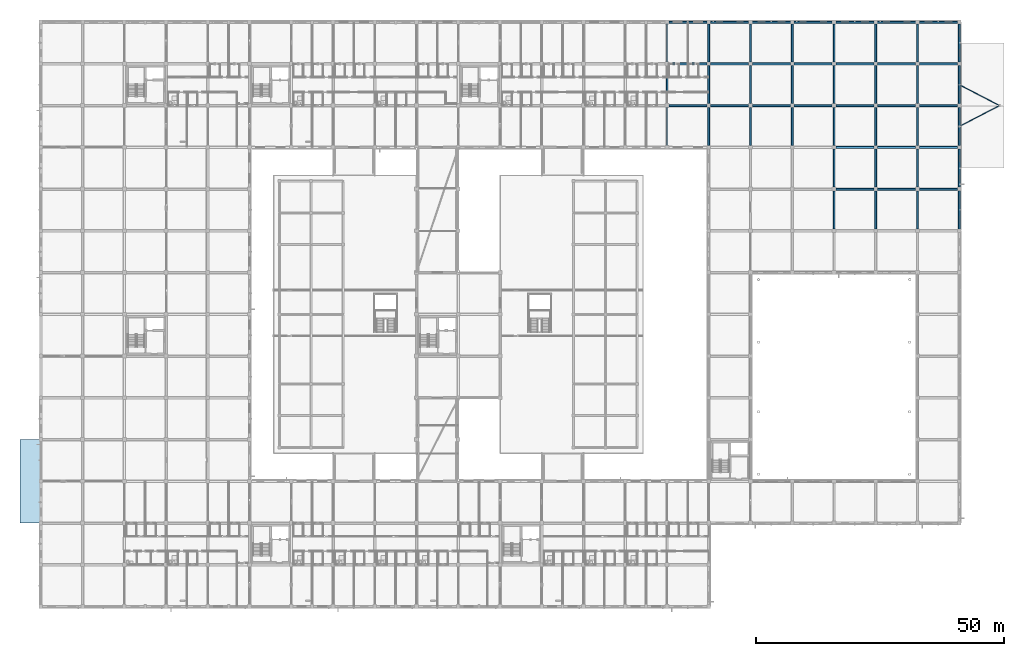
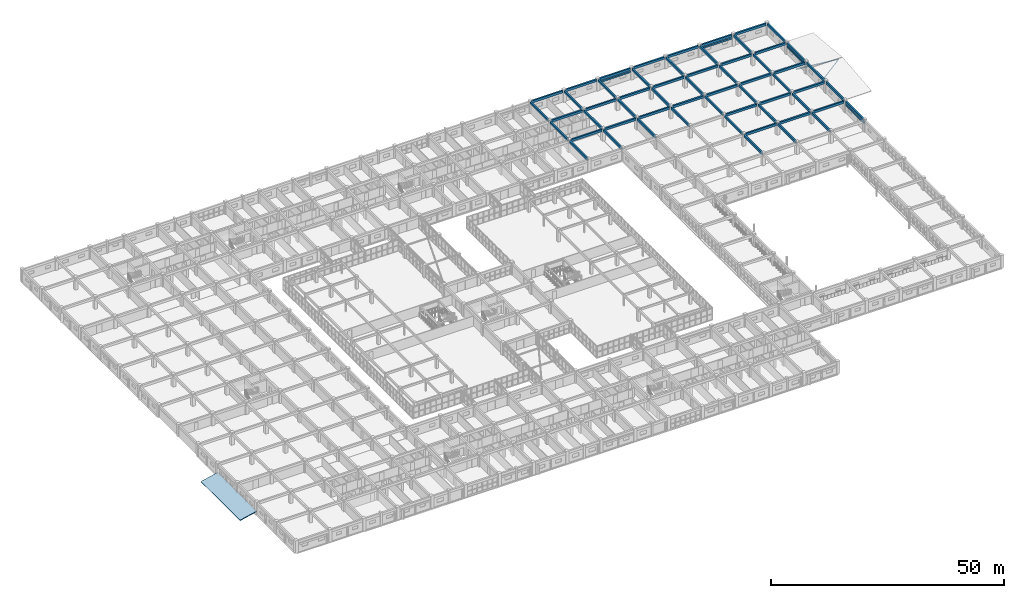
# One storey, part 144 of 200: 63 beams, 2 members, 1 slab.
"""IFC4 building model written with IfcOpenShell, lengths in metres."""

from ifc_helpers import new_model, si_unit, direction, frame, origin, origin_2d, place, context, subcontext, project, spatial, polyline, rectangle, hollow_circle, outline, extrude, material, layer, layer_set, material_profile, profile_set, type_object, element, save


model = new_model("IFC4")

# Units and contexts
model_context = context("Model", 3, precision=1e-05, world=origin(), true_north=direction((0.0, 1.0)))
body_context = subcontext(model_context, "Body", "Model", "MODEL_VIEW")
ifc_project = project(units=[si_unit("LENGTHUNIT", "METRE"), si_unit("AREAUNIT", "SQUARE_METRE"), si_unit("VOLUMEUNIT", "CUBIC_METRE"), si_unit("PLANEANGLEUNIT", "RADIAN"), si_unit("MASSUNIT", "GRAM", prefix="KILO")], contexts=[model_context])

# Site, building, storey
site_placement = place(None, origin())
site = spatial("IfcSite", under=ifc_project, at=site_placement, CompositionType="ELEMENT")
building_placement = place(site_placement, origin())
building = spatial("IfcBuilding", under=site, at=building_placement, Name="Trelvath General Hospital", CompositionType="ELEMENT")
storey_placement = place(building_placement, frame((0.0, 0.0, 4.800048828125)))
storey = spatial("IfcBuildingStorey", under=building, at=storey_placement, Name="L01", CompositionType="ELEMENT", Elevation=4.800048828125)

# Beams
ifc_material_1 = material(Name="Concrete C35/45", Category="concrete")
ifc_material_profile_1 = material_profile(ifc_material_1, rectangle(XDim=0.3798828125, YDim=0.580078125, at=origin_2d()), Name="RCB380x580")
ifc_profile_set_1 = profile_set([ifc_material_profile_1], Name="Concrete C35/45")
beam_type_1 = type_object("IfcBeamType", Name="Beam RC380x580", PredefinedType="BEAM", material=ifc_profile_set_1)
beam_1_placement = place(storey_placement, frame((126.0, 92.77001953125, 2.72998046875), z_axis=(0.0, 1.0, 0.0), x_axis=(-1.0, 0.0, 0.0)))
element("IfcBeam", 1, at=beam_1_placement, inside=storey, type_object=beam_type_1, Name="Grid Beam BY-115L", PredefinedType="BEAM", context=body_context, shape_type="SweptSolid", body=[
    extrude(rectangle(XDim=0.3798828125, YDim=0.580078125, at=origin_2d()), origin(), (0.0, 0.0, 1.0), 7.655029296875),
])
beam_2_placement = place(storey_placement, frame((126.0, 101.175048828125, 2.72998046875), z_axis=(0.0, 1.0, 0.0), x_axis=(-1.0, 0.0, 0.0)))
element("IfcBeam", 2, at=beam_2_placement, inside=storey, type_object=beam_type_1, Name="Grid Beam BY-115M", PredefinedType="BEAM", context=body_context, shape_type="SweptSolid", body=[
    extrude(rectangle(XDim=0.3798828125, YDim=0.580078125, at=origin_2d()), origin(), (0.0, 0.0, 1.0), 7.64990234375),
])
for number, where, z_axis, x_axis, name in (
    (3, (126.0, 109.574951171875, 2.72998046875), (0.0, 1.0, 0.0), (-1.0, 0.0, 0.0), "Grid Beam BY-115N"),
    (4, (134.39990234375, 92.77001953125, 2.72998046875), (0.0, 1.0, 0.0), (-1.0, 0.0, 0.0), "Grid Beam BY-116L"),
):
    element("IfcBeam", number, at=place(storey_placement, frame(where, z_axis=z_axis, x_axis=x_axis)), inside=storey, type_object=beam_type_1, Name=name, PredefinedType="BEAM", context=body_context, shape_type="SweptSolid", body=[
        extrude(rectangle(XDim=0.3798828125, YDim=0.580078125, at=origin_2d()), origin(), (0.0, 0.0, 1.0), 7.655029296875),
    ])
beam_3_placement = place(storey_placement, frame((134.39990234375, 101.175048828125, 2.72998046875), z_axis=(0.0, 1.0, 0.0), x_axis=(-1.0, 0.0, 0.0)))
element("IfcBeam", 5, at=beam_3_placement, inside=storey, type_object=beam_type_1, Name="Grid Beam BY-116M", PredefinedType="BEAM", context=body_context, shape_type="SweptSolid", body=[
    extrude(rectangle(XDim=0.3798828125, YDim=0.580078125, at=origin_2d()), origin(), (0.0, 0.0, 1.0), 7.64990234375),
])
beam_4_placement = place(storey_placement, frame((134.39990234375, 109.574951171875, 2.72998046875), z_axis=(0.0, 1.0, 0.0), x_axis=(-1.0, 0.0, 0.0)))
element("IfcBeam", 6, at=beam_4_placement, inside=storey, type_object=beam_type_1, Name="Grid Beam BY-116N", PredefinedType="BEAM", context=body_context, shape_type="SweptSolid", body=[
    extrude(rectangle(XDim=0.3798828125, YDim=0.580078125, at=origin_2d()), origin(), (0.0, 0.0, 1.0), 7.655029296875),
])
beam_5_placement = place(storey_placement, frame((142.800048828125, 92.77490234375, 2.72998046875), z_axis=(0.0, 1.0, 0.0), x_axis=(-1.0, 0.0, 0.0)))
element("IfcBeam", 7, at=beam_5_placement, inside=storey, type_object=beam_type_1, Name="Grid Beam BY-117L", PredefinedType="BEAM", context=body_context, shape_type="SweptSolid", body=[
    extrude(rectangle(XDim=0.3798828125, YDim=0.580078125, at=origin_2d()), origin(), (0.0, 0.0, 1.0), 7.650146484375),
])
beam_6_placement = place(storey_placement, frame((142.800048828125, 101.175048828125, 2.72998046875), z_axis=(0.0, 1.0, 0.0), x_axis=(-1.0, 0.0, 0.0)))
element("IfcBeam", 8, at=beam_6_placement, inside=storey, type_object=beam_type_1, Name="Grid Beam BY-117M", PredefinedType="BEAM", context=body_context, shape_type="SweptSolid", body=[
    extrude(rectangle(XDim=0.3798828125, YDim=0.580078125, at=origin_2d()), origin(), (0.0, 0.0, 1.0), 7.64990234375),
])
beam_7_placement = place(storey_placement, frame((142.800048828125, 109.574951171875, 2.72998046875), z_axis=(0.0, 1.0, 0.0), x_axis=(-1.0, 0.0, 0.0)))
element("IfcBeam", 9, at=beam_7_placement, inside=storey, type_object=beam_type_1, Name="Grid Beam BY-117N", PredefinedType="BEAM", context=body_context, shape_type="SweptSolid", body=[
    extrude(rectangle(XDim=0.3798828125, YDim=0.580078125, at=origin_2d()), origin(), (0.0, 0.0, 1.0), 7.655029296875),
])
beam_8_placement = place(storey_placement, frame((151.199951171875, 92.77490234375, 2.72998046875), z_axis=(0.0, 1.0, 0.0), x_axis=(-1.0, 0.0, 0.0)))
element("IfcBeam", 10, at=beam_8_placement, inside=storey, type_object=beam_type_1, Name="Grid Beam BY-118L", PredefinedType="BEAM", context=body_context, shape_type="SweptSolid", body=[
    extrude(rectangle(XDim=0.3798828125, YDim=0.580078125, at=origin_2d()), origin(), (0.0, 0.0, 1.0), 7.650146484375),
])
beam_9_placement = place(storey_placement, frame((151.199951171875, 101.175048828125, 2.72998046875), z_axis=(0.0, 1.0, 0.0), x_axis=(-1.0, 0.0, 0.0)))
element("IfcBeam", 11, at=beam_9_placement, inside=storey, type_object=beam_type_1, Name="Grid Beam BY-118M", PredefinedType="BEAM", context=body_context, shape_type="SweptSolid", body=[
    extrude(rectangle(XDim=0.3798828125, YDim=0.580078125, at=origin_2d()), origin(), (0.0, 0.0, 1.0), 7.64990234375),
])
beam_10_placement = place(storey_placement, frame((151.199951171875, 109.574951171875, 2.72998046875), z_axis=(0.0, 1.0, 0.0), x_axis=(-1.0, 0.0, 0.0)))
element("IfcBeam", 12, at=beam_10_placement, inside=storey, type_object=beam_type_1, Name="Grid Beam BY-118N", PredefinedType="BEAM", context=body_context, shape_type="SweptSolid", body=[
    extrude(rectangle(XDim=0.3798828125, YDim=0.580078125, at=origin_2d()), origin(), (0.0, 0.0, 1.0), 7.655029296875),
])
for number, where, z_axis, x_axis, name in (
    (13, (159.60009765625, 75.97509765625, 2.72998046875), (0.0, 1.0, 0.0), (-1.0, 0.0, 0.0), "Grid Beam BY-119J"),
    (14, (159.60009765625, 84.375, 2.72998046875), (0.0, 1.0, 0.0), (-1.0, 0.0, 0.0), "Grid Beam BY-119K"),
):
    element("IfcBeam", number, at=place(storey_placement, frame(where, z_axis=z_axis, x_axis=x_axis)), inside=storey, type_object=beam_type_1, Name=name, PredefinedType="BEAM", context=body_context, shape_type="SweptSolid", body=[
        extrude(rectangle(XDim=0.3798828125, YDim=0.580078125, at=origin_2d()), origin(), (0.0, 0.0, 1.0), 7.64990234375),
    ])
beam_11_placement = place(storey_placement, frame((159.60009765625, 92.77490234375, 2.72998046875), z_axis=(0.0, 1.0, 0.0), x_axis=(-1.0, 0.0, 0.0)))
element("IfcBeam", 15, at=beam_11_placement, inside=storey, type_object=beam_type_1, Name="Grid Beam BY-119L", PredefinedType="BEAM", context=body_context, shape_type="SweptSolid", body=[
    extrude(rectangle(XDim=0.3798828125, YDim=0.580078125, at=origin_2d()), origin(), (0.0, 0.0, 1.0), 7.650146484375),
])
beam_12_placement = place(storey_placement, frame((159.60009765625, 101.175048828125, 2.72998046875), z_axis=(0.0, 1.0, 0.0), x_axis=(-1.0, 0.0, 0.0)))
element("IfcBeam", 16, at=beam_12_placement, inside=storey, type_object=beam_type_1, Name="Grid Beam BY-119M", PredefinedType="BEAM", context=body_context, shape_type="SweptSolid", body=[
    extrude(rectangle(XDim=0.3798828125, YDim=0.580078125, at=origin_2d()), origin(), (0.0, 0.0, 1.0), 7.64990234375),
])
beam_13_placement = place(storey_placement, frame((159.60009765625, 109.574951171875, 2.72998046875), z_axis=(0.0, 1.0, 0.0), x_axis=(-1.0, 0.0, 0.0)))
element("IfcBeam", 17, at=beam_13_placement, inside=storey, type_object=beam_type_1, Name="Grid Beam BY-119N", PredefinedType="BEAM", context=body_context, shape_type="SweptSolid", body=[
    extrude(rectangle(XDim=0.3798828125, YDim=0.580078125, at=origin_2d()), origin(), (0.0, 0.0, 1.0), 7.655029296875),
])
for number, where, z_axis, x_axis, name in (
    (18, (168.0, 75.97509765625, 2.72998046875), (0.0, 1.0, 0.0), (-1.0, 0.0, 0.0), "Grid Beam BY-120J"),
    (19, (168.0, 84.375, 2.72998046875), (0.0, 1.0, 0.0), (-1.0, 0.0, 0.0), "Grid Beam BY-120K"),
):
    element("IfcBeam", number, at=place(storey_placement, frame(where, z_axis=z_axis, x_axis=x_axis)), inside=storey, type_object=beam_type_1, Name=name, PredefinedType="BEAM", context=body_context, shape_type="SweptSolid", body=[
        extrude(rectangle(XDim=0.3798828125, YDim=0.580078125, at=origin_2d()), origin(), (0.0, 0.0, 1.0), 7.64990234375),
    ])
beam_14_placement = place(storey_placement, frame((168.0, 92.77490234375, 2.72998046875), z_axis=(0.0, 1.0, 0.0), x_axis=(-1.0, 0.0, 0.0)))
element("IfcBeam", 20, at=beam_14_placement, inside=storey, type_object=beam_type_1, Name="Grid Beam BY-120L", PredefinedType="BEAM", context=body_context, shape_type="SweptSolid", body=[
    extrude(rectangle(XDim=0.3798828125, YDim=0.580078125, at=origin_2d()), origin(), (0.0, 0.0, 1.0), 7.650146484375),
])
beam_15_placement = place(storey_placement, frame((168.0, 101.175048828125, 2.72998046875), z_axis=(0.0, 1.0, 0.0), x_axis=(-1.0, 0.0, 0.0)))
element("IfcBeam", 21, at=beam_15_placement, inside=storey, type_object=beam_type_1, Name="Grid Beam BY-120M", PredefinedType="BEAM", context=body_context, shape_type="SweptSolid", body=[
    extrude(rectangle(XDim=0.3798828125, YDim=0.580078125, at=origin_2d()), origin(), (0.0, 0.0, 1.0), 7.64990234375),
])
beam_16_placement = place(storey_placement, frame((168.0, 109.574951171875, 2.72998046875), z_axis=(0.0, 1.0, 0.0), x_axis=(-1.0, 0.0, 0.0)))
element("IfcBeam", 22, at=beam_16_placement, inside=storey, type_object=beam_type_1, Name="Grid Beam BY-120N", PredefinedType="BEAM", context=body_context, shape_type="SweptSolid", body=[
    extrude(rectangle(XDim=0.3798828125, YDim=0.580078125, at=origin_2d()), origin(), (0.0, 0.0, 1.0), 7.655029296875),
])
for number, where, z_axis, x_axis, name in (
    (23, (176.39990234375, 75.97509765625, 2.72998046875), (0.0, 1.0, 0.0), (-1.0, 0.0, 0.0), "Grid Beam BY-121J"),
    (24, (176.39990234375, 84.375, 2.72998046875), (0.0, 1.0, 0.0), (-1.0, 0.0, 0.0), "Grid Beam BY-121K"),
):
    element("IfcBeam", number, at=place(storey_placement, frame(where, z_axis=z_axis, x_axis=x_axis)), inside=storey, type_object=beam_type_1, Name=name, PredefinedType="BEAM", context=body_context, shape_type="SweptSolid", body=[
        extrude(rectangle(XDim=0.3798828125, YDim=0.580078125, at=origin_2d()), origin(), (0.0, 0.0, 1.0), 7.64990234375),
    ])
beam_17_placement = place(storey_placement, frame((176.39990234375, 92.77490234375, 2.72998046875), z_axis=(0.0, 1.0, 0.0), x_axis=(-1.0, 0.0, 0.0)))
element("IfcBeam", 25, at=beam_17_placement, inside=storey, type_object=beam_type_1, Name="Grid Beam BY-121L", PredefinedType="BEAM", context=body_context, shape_type="SweptSolid", body=[
    extrude(rectangle(XDim=0.3798828125, YDim=0.580078125, at=origin_2d()), origin(), (0.0, 0.0, 1.0), 7.650146484375),
])
beam_18_placement = place(storey_placement, frame((176.39990234375, 101.175048828125, 2.72998046875), z_axis=(0.0, 1.0, 0.0), x_axis=(-1.0, 0.0, 0.0)))
element("IfcBeam", 26, at=beam_18_placement, inside=storey, type_object=beam_type_1, Name="Grid Beam BY-121M", PredefinedType="BEAM", context=body_context, shape_type="SweptSolid", body=[
    extrude(rectangle(XDim=0.3798828125, YDim=0.580078125, at=origin_2d()), origin(), (0.0, 0.0, 1.0), 7.64990234375),
])
beam_19_placement = place(storey_placement, frame((176.39990234375, 109.574951171875, 2.72998046875), z_axis=(0.0, 1.0, 0.0), x_axis=(-1.0, 0.0, 0.0)))
element("IfcBeam", 27, at=beam_19_placement, inside=storey, type_object=beam_type_1, Name="Grid Beam BY-121N", PredefinedType="BEAM", context=body_context, shape_type="SweptSolid", body=[
    extrude(rectangle(XDim=0.3798828125, YDim=0.580078125, at=origin_2d()), origin(), (0.0, 0.0, 1.0), 7.655029296875),
])
for number, where, z_axis, x_axis, name in (
    (28, (184.800048828125, 75.969970703125, 2.72998046875), (0.0, 1.0, 0.0), (-1.0, 0.0, 0.0), "Grid Beam BY-122J"),
    (29, (184.800048828125, 84.3701171875, 2.72998046875), (0.0, 1.0, 0.0), (-1.0, 0.0, 0.0), "Grid Beam BY-122K"),
    (30, (184.800048828125, 92.77001953125, 2.72998046875), (0.0, 1.0, 0.0), (-1.0, 0.0, 0.0), "Grid Beam BY-122L"),
):
    element("IfcBeam", number, at=place(storey_placement, frame(where, z_axis=z_axis, x_axis=x_axis)), inside=storey, type_object=beam_type_1, Name=name, PredefinedType="BEAM", context=body_context, shape_type="SweptSolid", body=[
        extrude(rectangle(XDim=0.3798828125, YDim=0.580078125, at=origin_2d()), origin(), (0.0, 0.0, 1.0), 7.659912109375),
    ])
beam_20_placement = place(storey_placement, frame((184.800048828125, 101.169921875, 2.72998046875), z_axis=(0.0, 1.0, 0.0), x_axis=(-1.0, 0.0, 0.0)))
element("IfcBeam", 31, at=beam_20_placement, inside=storey, type_object=beam_type_1, Name="Grid Beam BY-122M", PredefinedType="BEAM", context=body_context, shape_type="SweptSolid", body=[
    extrude(rectangle(XDim=0.3798828125, YDim=0.580078125, at=origin_2d()), origin(), (0.0, 0.0, 1.0), 7.66015625),
])
beam_21_placement = place(storey_placement, frame((184.800048828125, 109.570068359375, 2.72998046875), z_axis=(0.0, 1.0, 0.0), x_axis=(-1.0, 0.0, 0.0)))
element("IfcBeam", 32, at=beam_21_placement, inside=storey, type_object=beam_type_1, Name="Grid Beam BY-122N", PredefinedType="BEAM", context=body_context, shape_type="SweptSolid", body=[
    extrude(rectangle(XDim=0.3798828125, YDim=0.580078125, at=origin_2d()), origin(), (0.0, 0.0, 1.0), 7.659912109375),
])
ifc_material_2 = material(Name="Concrete C35/45", Category="concrete")
ifc_material_profile_2 = material_profile(ifc_material_2, rectangle(XDim=0.39990234375, YDim=0.60009765625, at=origin_2d()), Name="RCB400x600")
ifc_profile_set_2 = profile_set([ifc_material_profile_2], Name="Concrete C35/45")
beam_type_2 = type_object("IfcBeamType", Name="Beam RC400x600", PredefinedType="BEAM", material=ifc_profile_set_2)
for number, where, z_axis, x_axis, name in (
    (33, (126.375, 100.800048828125, 2.719970703125), (1.0, 0.0, 0.0), (0.0, 1.0, 0.0), "Grid Beam BX-115M"),
    (34, (126.375, 109.199951171875, 2.719970703125), (1.0, 0.0, 0.0), (0.0, 1.0, 0.0), "Grid Beam BX-115N"),
):
    element("IfcBeam", number, at=place(storey_placement, frame(where, z_axis=z_axis, x_axis=x_axis)), inside=storey, type_object=beam_type_2, Name=name, PredefinedType="BEAM", context=body_context, shape_type="SweptSolid", body=[
        extrude(rectangle(XDim=0.39990234375, YDim=0.60009765625, at=origin_2d()), origin(), (0.0, 0.0, 1.0), 7.64990234375),
    ])
beam_22_placement = place(storey_placement, frame((126.3701171875, 117.60009765625, 2.719970703125), z_axis=(1.0, 0.0, 0.0), x_axis=(0.0, 1.0, 0.0)))
element("IfcBeam", 35, at=beam_22_placement, inside=storey, type_object=beam_type_2, Name="Grid Beam BX-115O", PredefinedType="BEAM", context=body_context, shape_type="SweptSolid", body=[
    extrude(rectangle(XDim=0.39990234375, YDim=0.60009765625, at=origin_2d()), origin(), (0.0, 0.0, 1.0), 7.659912109375),
])
for number, where, z_axis, x_axis, name in (
    (36, (134.77490234375, 100.800048828125, 2.719970703125), (1.0, 0.0, 0.0), (0.0, 1.0, 0.0), "Grid Beam BX-116M"),
    (37, (134.77490234375, 109.199951171875, 2.719970703125), (1.0, 0.0, 0.0), (0.0, 1.0, 0.0), "Grid Beam BX-116N"),
):
    element("IfcBeam", number, at=place(storey_placement, frame(where, z_axis=z_axis, x_axis=x_axis)), inside=storey, type_object=beam_type_2, Name=name, PredefinedType="BEAM", context=body_context, shape_type="SweptSolid", body=[
        extrude(rectangle(XDim=0.39990234375, YDim=0.60009765625, at=origin_2d()), origin(), (0.0, 0.0, 1.0), 7.650146484375),
    ])
beam_23_placement = place(storey_placement, frame((134.77001953125, 117.60009765625, 2.719970703125), z_axis=(1.0, 0.0, 0.0), x_axis=(0.0, 1.0, 0.0)))
element("IfcBeam", 38, at=beam_23_placement, inside=storey, type_object=beam_type_2, Name="Grid Beam BX-116O", PredefinedType="BEAM", context=body_context, shape_type="SweptSolid", body=[
    extrude(rectangle(XDim=0.39990234375, YDim=0.60009765625, at=origin_2d()), origin(), (0.0, 0.0, 1.0), 7.659912109375),
])
for number, where, z_axis, x_axis, name in (
    (39, (143.175048828125, 100.800048828125, 2.719970703125), (1.0, 0.0, 0.0), (0.0, 1.0, 0.0), "Grid Beam BX-117M"),
    (40, (143.175048828125, 109.199951171875, 2.719970703125), (1.0, 0.0, 0.0), (0.0, 1.0, 0.0), "Grid Beam BX-117N"),
):
    element("IfcBeam", number, at=place(storey_placement, frame(where, z_axis=z_axis, x_axis=x_axis)), inside=storey, type_object=beam_type_2, Name=name, PredefinedType="BEAM", context=body_context, shape_type="SweptSolid", body=[
        extrude(rectangle(XDim=0.39990234375, YDim=0.60009765625, at=origin_2d()), origin(), (0.0, 0.0, 1.0), 7.64990234375),
    ])
beam_24_placement = place(storey_placement, frame((143.169921875, 117.60009765625, 2.719970703125), z_axis=(1.0, 0.0, 0.0), x_axis=(0.0, 1.0, 0.0)))
element("IfcBeam", 41, at=beam_24_placement, inside=storey, type_object=beam_type_2, Name="Grid Beam BX-117O", PredefinedType="BEAM", context=body_context, shape_type="SweptSolid", body=[
    extrude(rectangle(XDim=0.39990234375, YDim=0.60009765625, at=origin_2d()), origin(), (0.0, 0.0, 1.0), 7.66015625),
])
for number, where, z_axis, x_axis, name in (
    (42, (151.574951171875, 100.800048828125, 2.719970703125), (1.0, 0.0, 0.0), (0.0, 1.0, 0.0), "Grid Beam BX-118M"),
    (43, (151.574951171875, 109.199951171875, 2.719970703125), (1.0, 0.0, 0.0), (0.0, 1.0, 0.0), "Grid Beam BX-118N"),
):
    element("IfcBeam", number, at=place(storey_placement, frame(where, z_axis=z_axis, x_axis=x_axis)), inside=storey, type_object=beam_type_2, Name=name, PredefinedType="BEAM", context=body_context, shape_type="SweptSolid", body=[
        extrude(rectangle(XDim=0.39990234375, YDim=0.60009765625, at=origin_2d()), origin(), (0.0, 0.0, 1.0), 7.650146484375),
    ])
beam_25_placement = place(storey_placement, frame((151.570068359375, 117.60009765625, 2.719970703125), z_axis=(1.0, 0.0, 0.0), x_axis=(0.0, 1.0, 0.0)))
element("IfcBeam", 44, at=beam_25_placement, inside=storey, type_object=beam_type_2, Name="Grid Beam BX-118O", PredefinedType="BEAM", context=body_context, shape_type="SweptSolid", body=[
    extrude(rectangle(XDim=0.39990234375, YDim=0.60009765625, at=origin_2d()), origin(), (0.0, 0.0, 1.0), 7.659912109375),
])
for number, where, z_axis, x_axis, name in (
    (45, (159.97509765625, 84.0, 2.719970703125), (1.0, 0.0, 0.0), (0.0, 1.0, 0.0), "Grid Beam BX-119K"),
    (46, (159.97509765625, 92.39990234375, 2.719970703125), (1.0, 0.0, 0.0), (0.0, 1.0, 0.0), "Grid Beam BX-119L"),
    (47, (159.97509765625, 100.800048828125, 2.719970703125), (1.0, 0.0, 0.0), (0.0, 1.0, 0.0), "Grid Beam BX-119M"),
    (48, (159.97509765625, 109.199951171875, 2.719970703125), (1.0, 0.0, 0.0), (0.0, 1.0, 0.0), "Grid Beam BX-119N"),
):
    element("IfcBeam", number, at=place(storey_placement, frame(where, z_axis=z_axis, x_axis=x_axis)), inside=storey, type_object=beam_type_2, Name=name, PredefinedType="BEAM", context=body_context, shape_type="SweptSolid", body=[
        extrude(rectangle(XDim=0.39990234375, YDim=0.60009765625, at=origin_2d()), origin(), (0.0, 0.0, 1.0), 7.64990234375),
    ])
beam_26_placement = place(storey_placement, frame((159.969970703125, 117.60009765625, 2.719970703125), z_axis=(1.0, 0.0, 0.0), x_axis=(0.0, 1.0, 0.0)))
element("IfcBeam", 49, at=beam_26_placement, inside=storey, type_object=beam_type_2, Name="Grid Beam BX-119O", PredefinedType="BEAM", context=body_context, shape_type="SweptSolid", body=[
    extrude(rectangle(XDim=0.39990234375, YDim=0.60009765625, at=origin_2d()), origin(), (0.0, 0.0, 1.0), 7.659912109375),
])
for number, where, z_axis, x_axis, name in (
    (50, (168.375, 84.0, 2.719970703125), (1.0, 0.0, 0.0), (0.0, 1.0, 0.0), "Grid Beam BX-120K"),
    (51, (168.375, 92.39990234375, 2.719970703125), (1.0, 0.0, 0.0), (0.0, 1.0, 0.0), "Grid Beam BX-120L"),
    (52, (168.375, 100.800048828125, 2.719970703125), (1.0, 0.0, 0.0), (0.0, 1.0, 0.0), "Grid Beam BX-120M"),
    (53, (168.375, 109.199951171875, 2.719970703125), (1.0, 0.0, 0.0), (0.0, 1.0, 0.0), "Grid Beam BX-120N"),
):
    element("IfcBeam", number, at=place(storey_placement, frame(where, z_axis=z_axis, x_axis=x_axis)), inside=storey, type_object=beam_type_2, Name=name, PredefinedType="BEAM", context=body_context, shape_type="SweptSolid", body=[
        extrude(rectangle(XDim=0.39990234375, YDim=0.60009765625, at=origin_2d()), origin(), (0.0, 0.0, 1.0), 7.64990234375),
    ])
beam_27_placement = place(storey_placement, frame((168.3701171875, 117.60009765625, 2.719970703125), z_axis=(1.0, 0.0, 0.0), x_axis=(0.0, 1.0, 0.0)))
element("IfcBeam", 54, at=beam_27_placement, inside=storey, type_object=beam_type_2, Name="Grid Beam BX-120O", PredefinedType="BEAM", context=body_context, shape_type="SweptSolid", body=[
    extrude(rectangle(XDim=0.39990234375, YDim=0.60009765625, at=origin_2d()), origin(), (0.0, 0.0, 1.0), 7.659912109375),
])
for number, where, z_axis, x_axis, name in (
    (55, (176.77490234375, 84.0, 2.719970703125), (1.0, 0.0, 0.0), (0.0, 1.0, 0.0), "Grid Beam BX-121K"),
    (56, (176.77490234375, 92.39990234375, 2.719970703125), (1.0, 0.0, 0.0), (0.0, 1.0, 0.0), "Grid Beam BX-121L"),
    (57, (176.77490234375, 100.800048828125, 2.719970703125), (1.0, 0.0, 0.0), (0.0, 1.0, 0.0), "Grid Beam BX-121M"),
    (58, (176.77490234375, 109.199951171875, 2.719970703125), (1.0, 0.0, 0.0), (0.0, 1.0, 0.0), "Grid Beam BX-121N"),
):
    element("IfcBeam", number, at=place(storey_placement, frame(where, z_axis=z_axis, x_axis=x_axis)), inside=storey, type_object=beam_type_2, Name=name, PredefinedType="BEAM", context=body_context, shape_type="SweptSolid", body=[
        extrude(rectangle(XDim=0.39990234375, YDim=0.60009765625, at=origin_2d()), origin(), (0.0, 0.0, 1.0), 7.655029296875),
    ])
beam_28_placement = place(storey_placement, frame((176.77001953125, 117.60009765625, 2.719970703125), z_axis=(1.0, 0.0, 0.0), x_axis=(0.0, 1.0, 0.0)))
element("IfcBeam", 59, at=beam_28_placement, inside=storey, type_object=beam_type_2, Name="Grid Beam BX-121O", PredefinedType="BEAM", context=body_context, shape_type="SweptSolid", body=[
    extrude(rectangle(XDim=0.39990234375, YDim=0.60009765625, at=origin_2d()), origin(), (0.0, 0.0, 1.0), 7.659912109375),
])
ifc_material_3 = material(Name="Precast concrete C40/50", Category="concrete")
ifc_material_profile_3 = material_profile(ifc_material_3, rectangle(XDim=0.35009765625, YDim=0.419921875, at=origin_2d()), Name="PCL350x420")
ifc_profile_set_3 = profile_set([ifc_material_profile_3], Name="Precast concrete C40/50")
beam_type_3 = type_object("IfcBeamType", Name="Lintel PC350x420", PredefinedType="LINTEL", material=ifc_profile_set_3)
beam_29_placement = place(storey_placement, frame((143.090087890625, 117.60009765625, 2.02001953125), z_axis=(1.0, 0.0, 0.0), x_axis=(0.0, 1.0, 0.0)))
element("IfcBeam", 60, at=beam_29_placement, inside=storey, type_object=beam_type_3, Name="Precast Window Brow Lintel L01-198", PredefinedType="LINTEL", context=body_context, shape_type="SweptSolid", body=[
    extrude(rectangle(XDim=0.35009765625, YDim=0.419921875, at=origin_2d()), origin(), (0.0, 0.0, 1.0), 7.81982421875),
])
for number, where, z_axis, x_axis, name in (
    (61, (168.2900390625, 117.60009765625, 2.02001953125), (1.0, 0.0, 0.0), (0.0, 1.0, 0.0), "Precast Window Brow Lintel L01-210"),
    (62, (184.800048828125, 83.7099609375, 2.02001953125), (0.0, -1.0, 0.0), (1.0, 0.0, 0.0), "Precast Window Brow Lintel L01-214"),
):
    element("IfcBeam", number, at=place(storey_placement, frame(where, z_axis=z_axis, x_axis=x_axis)), inside=storey, type_object=beam_type_3, Name=name, PredefinedType="LINTEL", context=body_context, shape_type="SweptSolid", body=[
        extrude(rectangle(XDim=0.35009765625, YDim=0.419921875, at=origin_2d()), origin(), (0.0, 0.0, 1.0), 7.820068359375),
    ])
beam_30_placement = place(storey_placement, frame((184.800048828125, 108.909912109375, 2.02001953125), z_axis=(0.0, -1.0, 0.0), x_axis=(1.0, 0.0, 0.0)))
element("IfcBeam", 63, at=beam_30_placement, inside=storey, type_object=beam_type_3, Name="Precast Window Brow Lintel L01-217", PredefinedType="LINTEL", context=body_context, shape_type="SweptSolid", body=[
    extrude(rectangle(XDim=0.35009765625, YDim=0.419921875, at=origin_2d()), origin(), (0.0, 0.0, 1.0), 7.81982421875),
])

# Members
ifc_material_4 = material(Name="Steel S355", Category="steel")
ifc_material_profile_4 = material_profile(ifc_material_4, hollow_circle(Radius=0.096923828125, WallThickness=0.008056640625, at=origin_2d()), Name="CHS193.7x8.0")
ifc_profile_set_4 = profile_set([ifc_material_profile_4], Name="Steel S355")
member_type = type_object("IfcMemberType", Name="ShellStrut CHS193", PredefinedType="STRUT", material=ifc_profile_set_4)
for number, where, z_axis, x_axis, name in (
    (64, (184.800048828125, 96.60009765625, -1.60009765625), (0.85969346373, 0.445769860341, 0.249432115076), (-0.460319507595, 0.887753316484, 0.0), "Ambulance Canopy Strut 17"),
    (65, (184.800048828125, 105.0, -1.60009765625), (0.85969346373, -0.445769860341, 0.249432115076), (0.460319507595, 0.887753316484, 0.0), "Ambulance Canopy Strut 18"),
):
    element("IfcMember", number, at=place(storey_placement, frame(where, z_axis=z_axis, x_axis=x_axis)), inside=storey, type_object=member_type, Name=name, PredefinedType="STRUT", context=body_context, shape_type="SweptSolid", body=[
        extrude(hollow_circle(Radius=0.096923828125, WallThickness=0.008056640625, at=origin_2d()), origin(), (0.0, 0.0, 1.0), 9.421875),
    ])

# Slab
ifc_material_5 = material(Name="Concrete C40/50", Category="concrete")
ifc_layer = layer(ifc_material_5, 0.179931640625)
ifc_layer_set = layer_set([ifc_layer], Name="Concrete C40/50")
slab_type = type_object("IfcSlabType", Name="CanopySlab 180", PredefinedType="ROOF", material=ifc_layer_set)
slab_placement = place(storey_placement, frame((-4.199951171875, 16.800048828125, -0.300048828125), z_axis=(-0.220608899781, 0.0, 0.975362349764), x_axis=(0.975362349764, 0.0, 0.220608899781)))
element("IfcSlab", 66, at=slab_placement, inside=storey, type_object=slab_type, Name="Sculpted Concrete West Surgical Drop-Off Canopy", PredefinedType="ROOF", context=body_context, shape_type="SweptSolid", body=[
    extrude(outline(polyline([(0.0, 0.0), (4.306041926767652, 0.0), (4.306041926767652, 16.800048828125), (0.0, 16.800048828125), (0.0, 0.0)])), origin(), (0.0, 0.0, -1.0), 0.179931640625),
])

save(model, "model.ifc")
